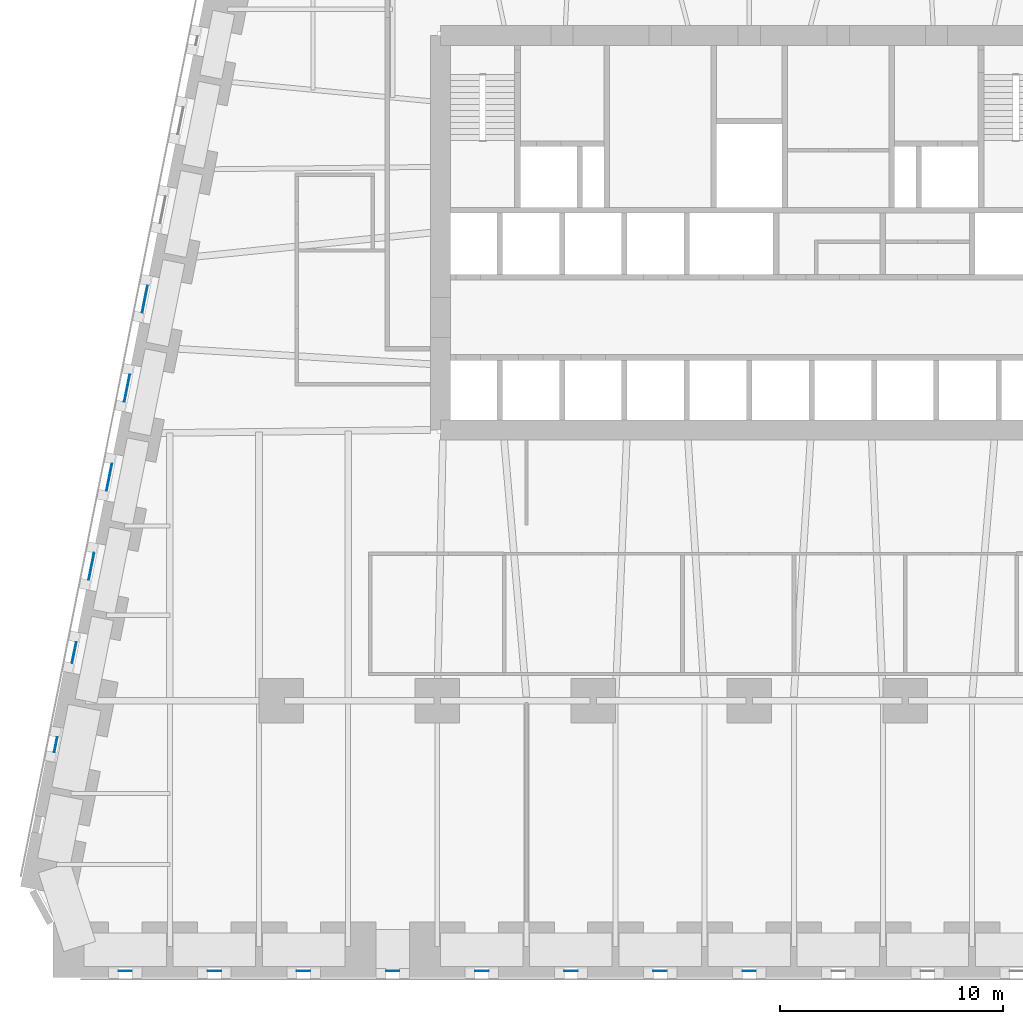
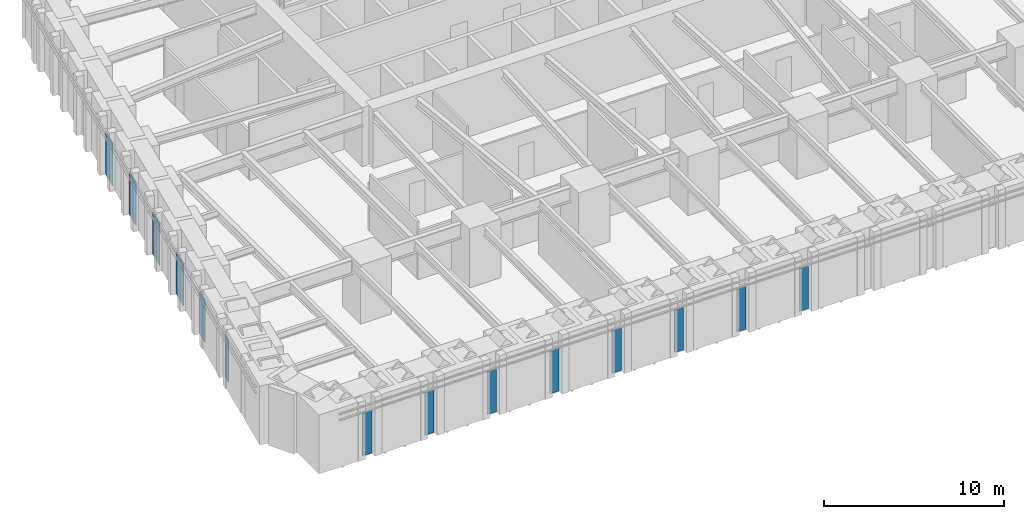
# One storey, part 7 of 16: 14 plates, 14 elements without a shape of their own.
"""IFC4 building model written with IfcOpenShell, lengths in metres."""

from ifc_helpers import new_model, si_unit, direction, frame, origin, origin_2d, place, context, subcontext, project, spatial, rectangle, extrude, material, layer, layer_set, type_object, element, aggregate, save


model = new_model("IFC4")

# Units and contexts
model_context = context("Model", 3, precision=1e-05, world=origin(), true_north=direction((0.0, 1.0)))
body_context = subcontext(model_context, "Body", "Model", "MODEL_VIEW")
ifc_project = project(units=[si_unit("LENGTHUNIT", "METRE"), si_unit("AREAUNIT", "SQUARE_METRE"), si_unit("VOLUMEUNIT", "CUBIC_METRE"), si_unit("PLANEANGLEUNIT", "RADIAN"), si_unit("MASSUNIT", "GRAM", prefix="KILO")], contexts=[model_context])

# Site, building, storey
site_placement = place(None, origin())
site = spatial("IfcSite", under=ifc_project, at=site_placement, CompositionType="ELEMENT")
building_placement = place(site_placement, origin())
building = spatial("IfcBuilding", under=site, at=building_placement, Name="Isbrekke Arena Tower", CompositionType="ELEMENT")
storey_placement = place(building_placement, frame((0.0, 0.0, 32.0)))
storey = spatial("IfcBuildingStorey", under=building, at=storey_placement, Name="L05", CompositionType="ELEMENT", Elevation=32.0)

# Curtain wall, plate
ifc_material_1 = material(Name="Glazed aluminium curtain wall", Category="aluminium")
curtain_wall_type = type_object("IfcCurtainWallType", Name="CWL TOWER CURTAIN WALL LOW ZONE", PredefinedType="USERDEFINED", material=ifc_material_1)
curtain_wall_1_placement = place(storey_placement, origin())
curtain_wall_1 = element("IfcCurtainWall", 1, at=curtain_wall_1_placement, inside=storey, type_object=curtain_wall_type, Name="CWL curtain wall L05-S", ObjectType="TOWER CURTAIN WALL LOW ZONE", PredefinedType="USERDEFINED")
ifc_material_2 = material(Name="Triple-glazed clear glass unit", Category="glass")
ifc_layer = layer(ifc_material_2, 0.031982421875)
ifc_layer_set = layer_set([ifc_layer], Name="CWL-P VISION PANEL")
plate_type = type_object("IfcPlateType", Name="CWL-P VISION PANEL", PredefinedType="CURTAIN_PANEL", material=ifc_layer_set)
plate_1_placement = place(storey_placement, frame((-28.0009765625, -18.125, 0.02001953125), z_axis=(0.0, 0.0, 1.0), x_axis=(1.0, 0.0, 0.0)))
plate_1 = element("IfcPlate", 2, at=plate_1_placement, type_object=plate_type, Name="CWL-P panel 1", PredefinedType="CURTAIN_PANEL", context=body_context, shape_type="SweptSolid", body=[
    extrude(rectangle(XDim=0.60205078125, YDim=0.031982421875, at=origin_2d()), origin(), (0.0, 0.0, 1.0), 2.8798828125),
])
aggregate(curtain_wall_1, [plate_1])

curtain_wall_2_placement = place(storey_placement, origin())
curtain_wall_2 = element("IfcCurtainWall", 3, at=curtain_wall_2_placement, inside=storey, type_object=curtain_wall_type, Name="CWL curtain wall L05-S3", ObjectType="TOWER CURTAIN WALL LOW ZONE", PredefinedType="USERDEFINED")
plate_2_placement = place(storey_placement, frame((-24.0, -18.125, 0.02001953125), z_axis=(0.0, 0.0, 1.0), x_axis=(1.0, 0.0, 0.0)))
plate_2 = element("IfcPlate", 4, at=plate_2_placement, type_object=plate_type, Name="CWL-P panel 1", PredefinedType="CURTAIN_PANEL", context=body_context, shape_type="SweptSolid", body=[
    extrude(rectangle(XDim=0.60009765625, YDim=0.031982421875, at=origin_2d()), origin(), (0.0, 0.0, 1.0), 2.8798828125),
])
aggregate(curtain_wall_2, [plate_2])

curtain_wall_3_placement = place(storey_placement, origin())
curtain_wall_3 = element("IfcCurtainWall", 5, at=curtain_wall_3_placement, inside=storey, type_object=curtain_wall_type, Name="CWL curtain wall L05-S5", ObjectType="TOWER CURTAIN WALL LOW ZONE", PredefinedType="USERDEFINED")
plate_3_placement = place(storey_placement, frame((-20.0, -18.125, 0.02001953125), z_axis=(0.0, 0.0, 1.0), x_axis=(1.0, 0.0, 0.0)))
plate_3 = element("IfcPlate", 6, at=plate_3_placement, type_object=plate_type, Name="CWL-P panel 1", PredefinedType="CURTAIN_PANEL", context=body_context, shape_type="SweptSolid", body=[
    extrude(rectangle(XDim=0.60009765625, YDim=0.031982421875, at=origin_2d()), origin(), (0.0, 0.0, 1.0), 2.8798828125),
])
aggregate(curtain_wall_3, [plate_3])

curtain_wall_4_placement = place(storey_placement, origin())
curtain_wall_4 = element("IfcCurtainWall", 7, at=curtain_wall_4_placement, inside=storey, type_object=curtain_wall_type, Name="CWL curtain wall L05-S7", ObjectType="TOWER CURTAIN WALL LOW ZONE", PredefinedType="USERDEFINED")
plate_4_placement = place(storey_placement, frame((-16.0, -18.125, 0.02001953125), z_axis=(0.0, 0.0, 1.0), x_axis=(1.0, 0.0, 0.0)))
plate_4 = element("IfcPlate", 8, at=plate_4_placement, type_object=plate_type, Name="CWL-P panel 1", PredefinedType="CURTAIN_PANEL", context=body_context, shape_type="SweptSolid", body=[
    extrude(rectangle(XDim=0.60009765625, YDim=0.031982421875, at=origin_2d()), origin(), (0.0, 0.0, 1.0), 2.8798828125),
])
aggregate(curtain_wall_4, [plate_4])

curtain_wall_5_placement = place(storey_placement, origin())
curtain_wall_5 = element("IfcCurtainWall", 9, at=curtain_wall_5_placement, inside=storey, type_object=curtain_wall_type, Name="CWL curtain wall L05-S9", ObjectType="TOWER CURTAIN WALL LOW ZONE", PredefinedType="USERDEFINED")
plate_5_placement = place(storey_placement, frame((-12.0, -18.125, 0.02001953125), z_axis=(0.0, 0.0, 1.0), x_axis=(1.0, 0.0, 0.0)))
plate_5 = element("IfcPlate", 10, at=plate_5_placement, type_object=plate_type, Name="CWL-P panel 1", PredefinedType="CURTAIN_PANEL", context=body_context, shape_type="SweptSolid", body=[
    extrude(rectangle(XDim=0.60009765625, YDim=0.031982421875, at=origin_2d()), origin(), (0.0, 0.0, 1.0), 2.8798828125),
])
aggregate(curtain_wall_5, [plate_5])

curtain_wall_6_placement = place(storey_placement, origin())
curtain_wall_6 = element("IfcCurtainWall", 11, at=curtain_wall_6_placement, inside=storey, type_object=curtain_wall_type, Name="CWL curtain wall L05-S11", ObjectType="TOWER CURTAIN WALL LOW ZONE", PredefinedType="USERDEFINED")
plate_6_placement = place(storey_placement, frame((-8.0, -18.125, 0.02001953125), z_axis=(0.0, 0.0, 1.0), x_axis=(1.0, 0.0, 0.0)))
plate_6 = element("IfcPlate", 12, at=plate_6_placement, type_object=plate_type, Name="CWL-P panel 1", PredefinedType="CURTAIN_PANEL", context=body_context, shape_type="SweptSolid", body=[
    extrude(rectangle(XDim=0.60009765625, YDim=0.031982421875, at=origin_2d()), origin(), (0.0, 0.0, 1.0), 2.8798828125),
])
aggregate(curtain_wall_6, [plate_6])

curtain_wall_7_placement = place(storey_placement, origin())
curtain_wall_7 = element("IfcCurtainWall", 13, at=curtain_wall_7_placement, inside=storey, type_object=curtain_wall_type, Name="CWL curtain wall L05-S13", ObjectType="TOWER CURTAIN WALL LOW ZONE", PredefinedType="USERDEFINED")
plate_7_placement = place(storey_placement, frame((-4.0, -18.125, 0.02001953125), z_axis=(0.0, 0.0, 1.0), x_axis=(1.0, 0.0, 0.0)))
plate_7 = element("IfcPlate", 14, at=plate_7_placement, type_object=plate_type, Name="CWL-P panel 1", PredefinedType="CURTAIN_PANEL", context=body_context, shape_type="SweptSolid", body=[
    extrude(rectangle(XDim=0.60009765625, YDim=0.031982421875, at=origin_2d()), origin(), (0.0, 0.0, 1.0), 2.8798828125),
])
aggregate(curtain_wall_7, [plate_7])

curtain_wall_8_placement = place(storey_placement, origin())
curtain_wall_8 = element("IfcCurtainWall", 15, at=curtain_wall_8_placement, inside=storey, type_object=curtain_wall_type, Name="CWL curtain wall L05-S15", ObjectType="TOWER CURTAIN WALL LOW ZONE", PredefinedType="USERDEFINED")
plate_8_placement = place(storey_placement, frame((0.0, -18.125, 0.02001953125), z_axis=(0.0, 0.0, 1.0), x_axis=(1.0, 0.0, 0.0)))
plate_8 = element("IfcPlate", 16, at=plate_8_placement, type_object=plate_type, Name="CWL-P panel 1", PredefinedType="CURTAIN_PANEL", context=body_context, shape_type="SweptSolid", body=[
    extrude(rectangle(XDim=0.60009765625, YDim=0.031982421875, at=origin_2d()), origin(), (0.0, 0.0, 1.0), 2.8798828125),
])
aggregate(curtain_wall_8, [plate_8])

curtain_wall_9_placement = place(storey_placement, origin())
curtain_wall_9 = element("IfcCurtainWall", 17, at=curtain_wall_9_placement, inside=storey, type_object=curtain_wall_type, Name="CWL curtain wall L05-W7", ObjectType="TOWER CURTAIN WALL LOW ZONE", PredefinedType="USERDEFINED")
plate_9_placement = place(storey_placement, frame((-27.12255859375, 12.0244140625, 0.02001953125), z_axis=(0.0, 0.0, 1.0), x_axis=(-0.196116135138, -0.980580675691, 0.0)))
plate_9 = element("IfcPlate", 18, at=plate_9_placement, type_object=plate_type, Name="CWL-P panel 1", PredefinedType="CURTAIN_PANEL", context=body_context, shape_type="SweptSolid", body=[
    extrude(rectangle(XDim=1.229248046875, YDim=0.031982421875, at=origin_2d()), origin(), (0.0, 0.0, 1.0), 2.8798828125),
])
aggregate(curtain_wall_9, [plate_9])

curtain_wall_10_placement = place(storey_placement, origin())
curtain_wall_10 = element("IfcCurtainWall", 19, at=curtain_wall_10_placement, inside=storey, type_object=curtain_wall_type, Name="CWL curtain wall L05-W9", ObjectType="TOWER CURTAIN WALL LOW ZONE", PredefinedType="USERDEFINED")
plate_10_placement = place(storey_placement, frame((-27.922607421875, 8.0244140625, 0.02001953125), z_axis=(0.0, 0.0, 1.0), x_axis=(-0.196116135138, -0.980580675691, 0.0)))
plate_10 = element("IfcPlate", 20, at=plate_10_placement, type_object=plate_type, Name="CWL-P panel 1", PredefinedType="CURTAIN_PANEL", context=body_context, shape_type="SweptSolid", body=[
    extrude(rectangle(XDim=1.229248046875, YDim=0.031982421875, at=origin_2d()), origin(), (0.0, 0.0, 1.0), 2.8798828125),
])
aggregate(curtain_wall_10, [plate_10])

curtain_wall_11_placement = place(storey_placement, origin())
curtain_wall_11 = element("IfcCurtainWall", 21, at=curtain_wall_11_placement, inside=storey, type_object=curtain_wall_type, Name="CWL curtain wall L05-W11", ObjectType="TOWER CURTAIN WALL LOW ZONE", PredefinedType="USERDEFINED")
plate_11_placement = place(storey_placement, frame((-28.72265625, 4.0244140625, 0.02001953125), z_axis=(0.0, 0.0, 1.0), x_axis=(-0.196116135138, -0.980580675691, 0.0)))
plate_11 = element("IfcPlate", 22, at=plate_11_placement, type_object=plate_type, Name="CWL-P panel 1", PredefinedType="CURTAIN_PANEL", context=body_context, shape_type="SweptSolid", body=[
    extrude(rectangle(XDim=1.229248046875, YDim=0.031982421875, at=origin_2d()), origin(), (0.0, 0.0, 1.0), 2.8798828125),
])
aggregate(curtain_wall_11, [plate_11])

curtain_wall_12_placement = place(storey_placement, origin())
curtain_wall_12 = element("IfcCurtainWall", 23, at=curtain_wall_12_placement, inside=storey, type_object=curtain_wall_type, Name="CWL curtain wall L05-W13", ObjectType="TOWER CURTAIN WALL LOW ZONE", PredefinedType="USERDEFINED")
plate_12_placement = place(storey_placement, frame((-29.5224609375, 0.0244140625, 0.02001953125), z_axis=(0.0, 0.0, 1.0), x_axis=(-0.196116135138, -0.980580675691, 0.0)))
plate_12 = element("IfcPlate", 24, at=plate_12_placement, type_object=plate_type, Name="CWL-P panel 1", PredefinedType="CURTAIN_PANEL", context=body_context, shape_type="SweptSolid", body=[
    extrude(rectangle(XDim=1.229248046875, YDim=0.031982421875, at=origin_2d()), origin(), (0.0, 0.0, 1.0), 2.8798828125),
])
aggregate(curtain_wall_12, [plate_12])

curtain_wall_13_placement = place(storey_placement, origin())
curtain_wall_13 = element("IfcCurtainWall", 25, at=curtain_wall_13_placement, inside=storey, type_object=curtain_wall_type, Name="CWL curtain wall L05-W15", ObjectType="TOWER CURTAIN WALL LOW ZONE", PredefinedType="USERDEFINED")
plate_13_placement = place(storey_placement, frame((-30.295654296875, -3.840576171875, 0.02001953125), z_axis=(0.0, 0.0, 1.0), x_axis=(-0.196116135138, -0.980580675691, 0.0)))
plate_13 = element("IfcPlate", 26, at=plate_13_placement, type_object=plate_type, Name="CWL-P panel 1", PredefinedType="CURTAIN_PANEL", context=body_context, shape_type="SweptSolid", body=[
    extrude(rectangle(XDim=0.9541015625, YDim=0.031982421875, at=origin_2d()), origin(), (0.0, 0.0, 1.0), 2.8798828125),
])
aggregate(curtain_wall_13, [plate_13])

curtain_wall_14_placement = place(storey_placement, origin())
curtain_wall_14 = element("IfcCurtainWall", 27, at=curtain_wall_14_placement, inside=storey, type_object=curtain_wall_type, Name="CWL curtain wall L05-W17", ObjectType="TOWER CURTAIN WALL LOW ZONE", PredefinedType="USERDEFINED")
plate_14_placement = place(storey_placement, frame((-31.12255859375, -7.9755859375, 0.02001953125), z_axis=(0.0, 0.0, 1.0), x_axis=(-0.196116135138, -0.980580675691, 0.0)))
plate_14 = element("IfcPlate", 28, at=plate_14_placement, type_object=plate_type, Name="CWL-P panel 1", PredefinedType="CURTAIN_PANEL", context=body_context, shape_type="SweptSolid", body=[
    extrude(rectangle(XDim=0.67919921875, YDim=0.031982421875, at=origin_2d()), origin(), (0.0, 0.0, 1.0), 2.8798828125),
])
aggregate(curtain_wall_14, [plate_14])

save(model, "model.ifc")
